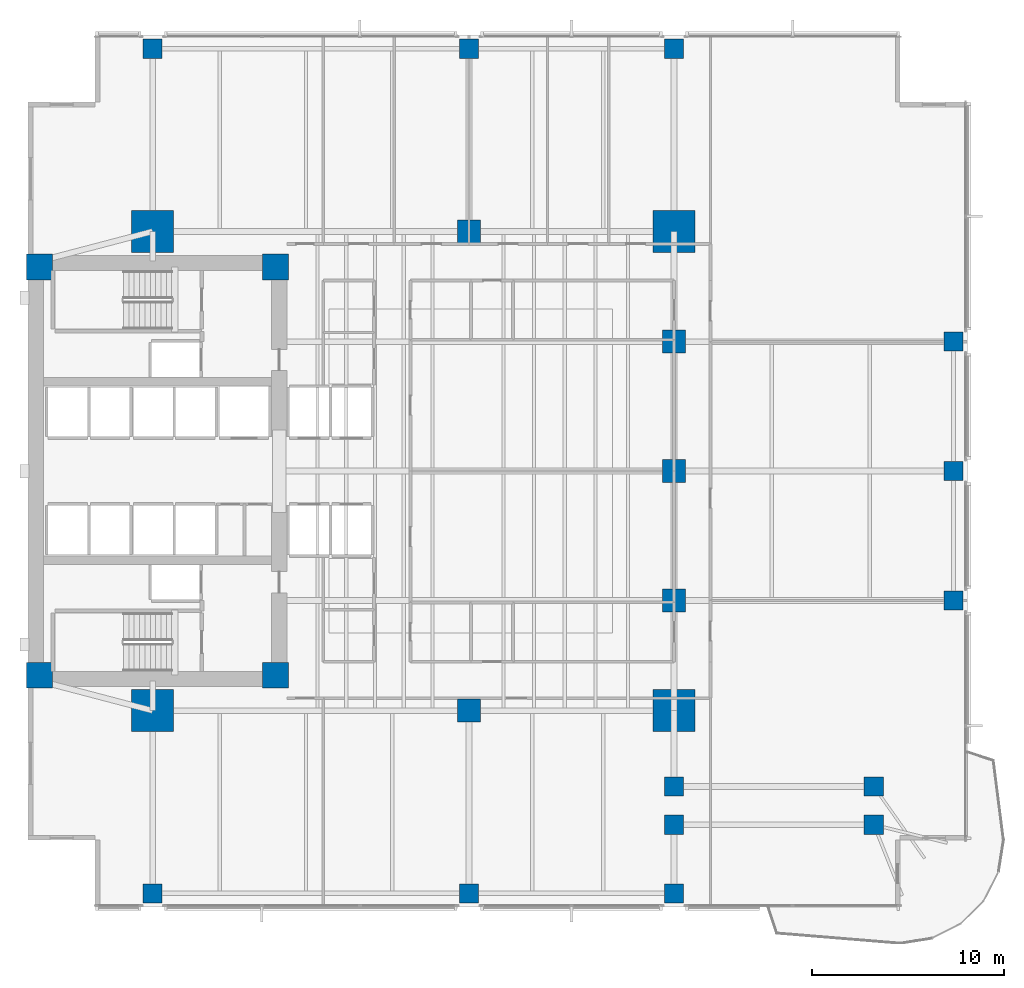
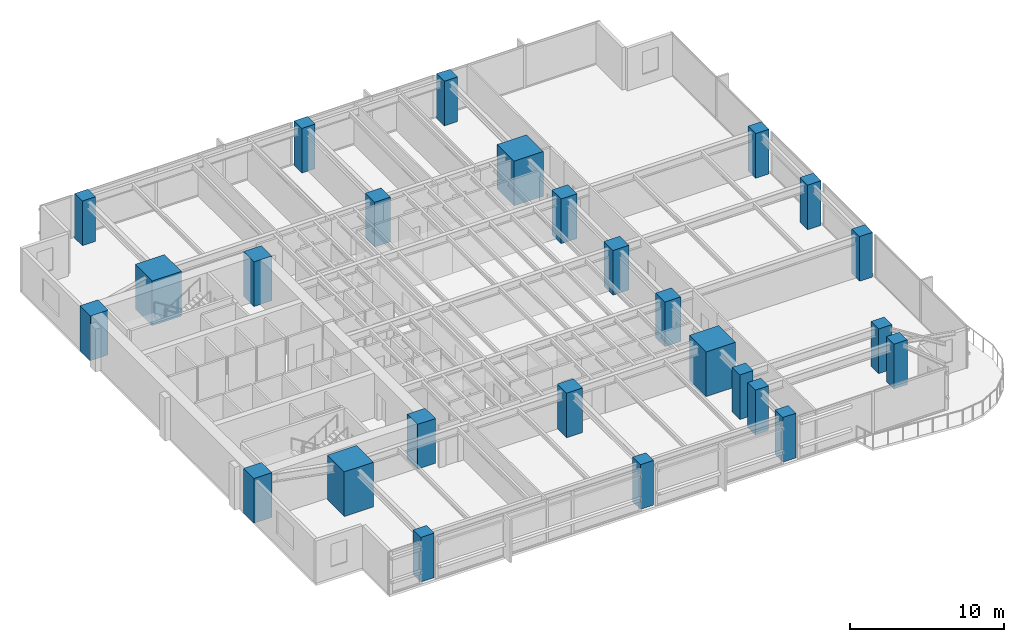
# One storey, part 1 of 15: 26 columns.
"""IFC4 building model written with IfcOpenShell, lengths in metres."""

from ifc_helpers import new_model, si_unit, direction, frame, origin, origin_2d, place, context, subcontext, project, spatial, rectangle, extrude, material, material_profile, profile_set, type_object, element, save


model = new_model("IFC4")

# Units and contexts
model_context = context("Model", 3, precision=1e-05, world=origin(), true_north=direction((0.0, 1.0)))
body_context = subcontext(model_context, "Body", "Model", "MODEL_VIEW")
ifc_project = project(units=[si_unit("LENGTHUNIT", "METRE"), si_unit("AREAUNIT", "SQUARE_METRE"), si_unit("VOLUMEUNIT", "CUBIC_METRE"), si_unit("PLANEANGLEUNIT", "RADIAN"), si_unit("MASSUNIT", "GRAM", prefix="KILO")], contexts=[model_context])

# Site, building, storey
site_placement = place(None, origin())
site = spatial("IfcSite", under=ifc_project, at=site_placement, CompositionType="ELEMENT")
building_placement = place(site_placement, origin())
building = spatial("IfcBuilding", under=site, at=building_placement, Name="Kinhvarn Gate Tower", CompositionType="ELEMENT")
storey_placement = place(building_placement, frame((0.0, 0.0, 46.89990234375)))
storey = spatial("IfcBuildingStorey", under=building, at=storey_placement, Name="L11", CompositionType="ELEMENT", Elevation=46.89990234375)

# Columns
ifc_material_1 = material(Name="Concrete C70/85", Category="concrete")
ifc_material_profile_1 = material_profile(ifc_material_1, rectangle(XDim=2.199951171875, YDim=2.199951171875, at=origin_2d()), Name="RC 2200x2200")
ifc_profile_set_1 = profile_set([ifc_material_profile_1], Name="Concrete C70/85")
column_type_1 = type_object("IfcColumnType", Name="COL-MC-2200", PredefinedType="COLUMN", material=ifc_profile_set_1)
for number, where, z_axis, x_axis, name in (
    (1, (11.0, 12.75, 0.0), (0.0, 0.0, 1.0), (1.0, 0.0, 0.0), "Column MC1-L11 (MC-22)"),
    (2, (11.0, 37.75, 0.0), (0.0, 0.0, 1.0), (1.0, 0.0, 0.0), "Column MC4-L11 (MC-22)"),
    (3, (38.199951171875, 12.75, 0.0), (0.0, 0.0, 1.0), (1.0, 0.0, 0.0), "Column MC2-L11 (MC-22)"),
    (4, (38.199951171875, 37.75, 0.0), (0.0, 0.0, 1.0), (1.0, 0.0, 0.0), "Column MC3-L11 (MC-22)"),
):
    element("IfcColumn", number, at=place(storey_placement, frame(where, z_axis=z_axis, x_axis=x_axis)), inside=storey, type_object=column_type_1, Name=name, PredefinedType="COLUMN", context=body_context, shape_type="SweptSolid", body=[
        extrude(rectangle(XDim=2.199951171875, YDim=2.199951171875, at=origin_2d()), origin(), (0.0, 0.0, 1.0), 3.550048828125),
    ])
ifc_material_2 = material(Name="Concrete C60/75", Category="concrete")
ifc_material_profile_2 = material_profile(ifc_material_2, rectangle(XDim=1.0, YDim=1.0, at=origin_2d()), Name="RC 1000x1000")
ifc_profile_set_2 = profile_set([ifc_material_profile_2], Name="Concrete C60/75")
column_type_2 = type_object("IfcColumnType", Name="COL-RC-1000", PredefinedType="COLUMN", material=ifc_profile_set_2)
for number, where, z_axis, x_axis, name in (
    (5, (48.6201171875, 6.800048828125, 0.0), (0.0, 0.0, 1.0), (1.0, 0.0, 0.0), "Column CS-SE1-L11 (C-100)"),
    (6, (38.199951171875, 6.800048828125, 0.0), (0.0, 0.0, 1.0), (1.0, 0.0, 0.0), "Column CS-ANC68-L11 (C-100)"),
    (7, (38.199951171875, 8.800048828125, 0.0), (0.0, 0.0, 1.0), (1.0, 0.0, 0.0), "Column CS-ANC88-L11 (C-100)"),
    (8, (48.6201171875, 8.800048828125, 0.0), (0.0, 0.0, 1.0), (1.0, 0.0, 0.0), "Column CS-SE1B-L11 (C-100)"),
    (9, (52.780029296875, 18.5, 0.0), (0.0, 0.0, 1.0), (1.0, 0.0, 0.0), "Column CE-1-L11 (C-100)"),
    (10, (52.780029296875, 25.25, 0.0), (0.0, 0.0, 1.0), (1.0, 0.0, 0.0), "Column CE-2-L11 (C-100)"),
    (11, (52.780029296875, 32.0, 0.0), (0.0, 0.0, 1.0), (1.0, 0.0, 0.0), "Column CE-3-L11 (C-100)"),
    (12, (11.0, 3.219970703125, 0.0), (0.0, 0.0, 1.0), (1.0, 0.0, 0.0), "Column CS-0-L11 (C-100)"),
    (13, (27.5, 3.219970703125, 0.0), (0.0, 0.0, 1.0), (1.0, 0.0, 0.0), "Column CS-1-L11 (C-100)"),
    (14, (38.199951171875, 3.219970703125, 0.0), (0.0, 0.0, 1.0), (1.0, 0.0, 0.0), "Column CS-2-L11 (C-100)"),
    (15, (11.0, 47.280029296875, 0.0), (0.0, 0.0, 1.0), (1.0, 0.0, 0.0), "Column CN-0-L11 (C-100)"),
    (16, (27.5, 47.280029296875, 0.0), (0.0, 0.0, 1.0), (1.0, 0.0, 0.0), "Column CN-1-L11 (C-100)"),
    (17, (38.199951171875, 47.280029296875, 0.0), (0.0, 0.0, 1.0), (1.0, 0.0, 0.0), "Column CN-2-L11 (C-100)"),
):
    element("IfcColumn", number, at=place(storey_placement, frame(where, z_axis=z_axis, x_axis=x_axis)), inside=storey, type_object=column_type_2, Name=name, PredefinedType="COLUMN", context=body_context, shape_type="SweptSolid", body=[
        extrude(rectangle(XDim=1.0, YDim=1.0, at=origin_2d()), origin(), (0.0, 0.0, 1.0), 3.550048828125),
    ])
ifc_material_profile_3 = material_profile(ifc_material_2, rectangle(XDim=1.199951171875, YDim=1.199951171875, at=origin_2d()), Name="RC 1200x1200")
ifc_profile_set_3 = profile_set([ifc_material_profile_3], Name="Concrete C60/75")
column_type_3 = type_object("IfcColumnType", Name="COL-RC-1200", PredefinedType="COLUMN", material=ifc_profile_set_3)
for number, where, z_axis, x_axis, name in (
    (18, (27.5, 12.75, 0.0), (0.0, 0.0, 1.0), (1.0, 0.0, 0.0), "Column SP27-S-L11 (C-120)"),
    (19, (27.5, 37.75, 0.0), (0.0, 0.0, 1.0), (1.0, 0.0, 0.0), "Column SP27-N-L11 (C-120)"),
    (20, (38.199951171875, 18.5, 0.0), (0.0, 0.0, 1.0), (1.0, 0.0, 0.0), "Column SP38-E1-L11 (C-120)"),
    (21, (38.199951171875, 25.25, 0.0), (0.0, 0.0, 1.0), (1.0, 0.0, 0.0), "Column SP38-E2-L11 (C-120)"),
    (22, (38.199951171875, 32.0, 0.0), (0.0, 0.0, 1.0), (1.0, 0.0, 0.0), "Column SP38-E3-L11 (C-120)"),
):
    element("IfcColumn", number, at=place(storey_placement, frame(where, z_axis=z_axis, x_axis=x_axis)), inside=storey, type_object=column_type_3, Name=name, PredefinedType="COLUMN", context=body_context, shape_type="SweptSolid", body=[
        extrude(rectangle(XDim=1.199951171875, YDim=1.199951171875, at=origin_2d()), origin(), (0.0, 0.0, 1.0), 3.550048828125),
    ])
ifc_material_profile_4 = material_profile(ifc_material_1, rectangle(XDim=1.35009765625, YDim=1.35009765625, at=origin_2d()), Name="RC 1350x1350")
ifc_profile_set_4 = profile_set([ifc_material_profile_4], Name="Concrete C70/85")
column_type_4 = type_object("IfcColumnType", Name="PIL-RC-1350", PredefinedType="PILASTER", material=ifc_profile_set_4)
for number, where, z_axis, x_axis, name in (
    (23, (5.10009765625, 14.60009765625, 0.0), (0.0, 0.0, 1.0), (1.0, 0.0, 0.0), "Column CC-SW-L11 (CP-135)"),
    (24, (5.10009765625, 35.89990234375, 0.0), (0.0, 0.0, 1.0), (1.0, 0.0, 0.0), "Column CC-NW-L11 (CP-135)"),
    (25, (17.39990234375, 14.60009765625, 0.0), (0.0, 0.0, 1.0), (1.0, 0.0, 0.0), "Column CC-SE-L11 (CP-135)"),
    (26, (17.39990234375, 35.89990234375, 0.0), (0.0, 0.0, 1.0), (1.0, 0.0, 0.0), "Column CC-NE-L11 (CP-135)"),
):
    element("IfcColumn", number, at=place(storey_placement, frame(where, z_axis=z_axis, x_axis=x_axis)), inside=storey, type_object=column_type_4, Name=name, PredefinedType="PILASTER", context=body_context, shape_type="SweptSolid", body=[
        extrude(rectangle(XDim=1.35009765625, YDim=1.35009765625, at=origin_2d()), origin(), (0.0, 0.0, 1.0), 3.550048828125),
    ])

save(model, "model.ifc")
